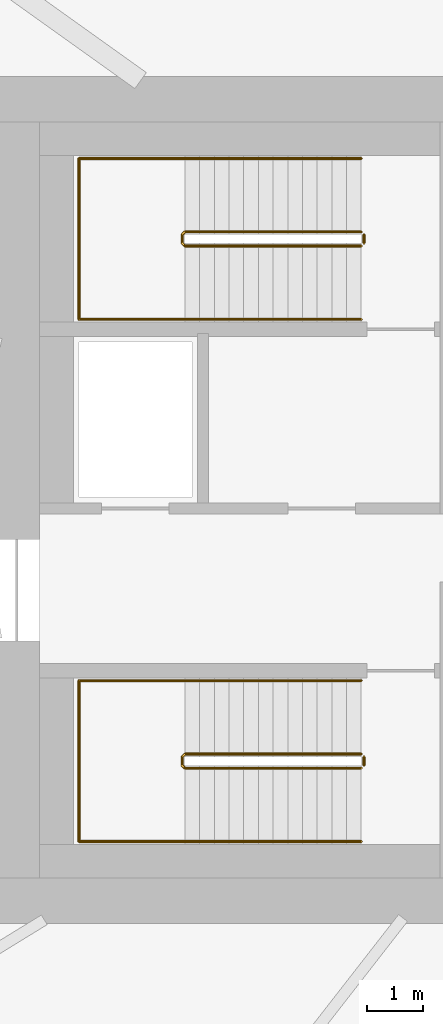
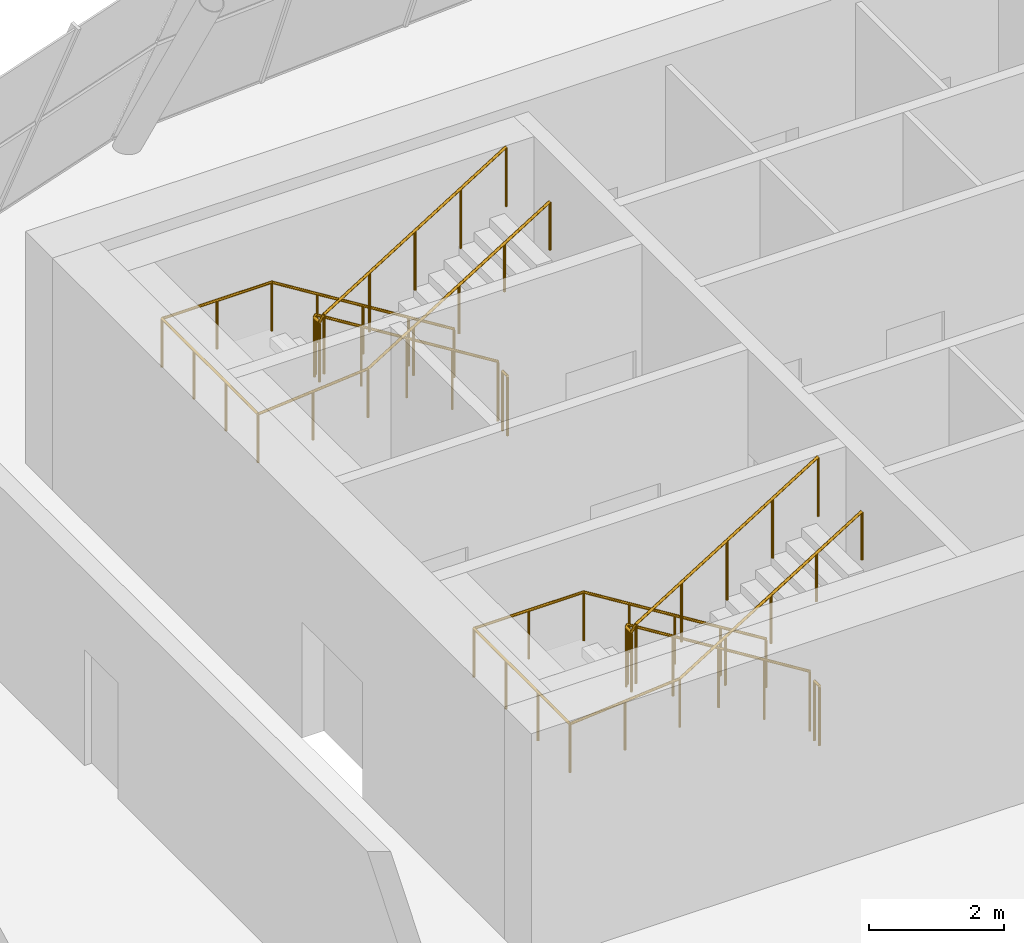
# One storey, part 8 of 8: 6 railings.
"""IFC4 building model written with IfcOpenShell, lengths in metres."""

from ifc_helpers import new_model, si_unit, direction, frame, origin, origin_2d, place, context, subcontext, project, spatial, circle, extrude, material, type_object, element, save


model = new_model("IFC4")

# Units and contexts
model_context = context("Model", 3, precision=1e-05, world=origin(), true_north=direction((0.0, 1.0)))
body_context = subcontext(model_context, "Body", "Model", "MODEL_VIEW")
ifc_project = project(units=[si_unit("LENGTHUNIT", "METRE"), si_unit("AREAUNIT", "SQUARE_METRE"), si_unit("VOLUMEUNIT", "CUBIC_METRE"), si_unit("PLANEANGLEUNIT", "RADIAN"), si_unit("MASSUNIT", "GRAM", prefix="KILO")], contexts=[model_context])

# Site, building, storey
site_placement = place(None, origin())
site = spatial("IfcSite", under=ifc_project, at=site_placement, CompositionType="ELEMENT")
building_placement = place(site_placement, origin())
building = spatial("IfcBuilding", under=site, at=building_placement, Name="Rubra Terraces Tower", CompositionType="ELEMENT")
storey_placement = place(building_placement, frame((0.0, 0.0, 312.0)))
storey = spatial("IfcBuildingStorey", under=building, at=storey_placement, Name="L77", CompositionType="ELEMENT", Elevation=312.0)

# Railings
ifc_material = material(Name="Stainless steel", Category="steel")
railing_type_1 = type_object("IfcRailingType", Name="Core stair guard 1100", PredefinedType="GUARDRAIL", material=ifc_material)
railing_1_placement = place(storey_placement, frame((-6.5, 0.0, 0.16162109375)))
element("IfcRailing", 1, at=railing_1_placement, inside=storey, type_object=railing_type_1, Name="L77 stair S1 guard 1", PredefinedType="GUARDRAIL", context=body_context, shape_type="SweptSolid", body=[
    extrude(circle(Radius=0.02392578125, at=origin_2d()), frame((0.0, 0.0, 1.076171875), z_axis=(-0.849414166554, 0.0, 0.527726798313), x_axis=(0.0, -1.0, 0.0)), (0.0, 0.0, 1.0), 3.67333984375),
    extrude(circle(Radius=0.02392578125, at=origin_2d()), frame((-3.1201171875, 0.0, 3.0146484375), z_axis=(-0.705375805398, -0.708833529934, 0.0), x_axis=(0.708833529934, -0.705375805398, 0.0)), (0.0, 0.0, 1.0), 0.070556640625),
    extrude(circle(Radius=0.02392578125, at=origin_2d()), frame((-3.169921875, -0.050048828125, 3.0146484375), z_axis=(0.0, -1.0, 0.0), x_axis=(1.0, 0.0, 0.0)), (0.0, 0.0, 1.0), 0.14990234375),
    extrude(circle(Radius=0.02392578125, at=origin_2d()), frame((-3.169921875, -0.199951171875, 3.0146484375), z_axis=(0.282744350638, -0.284130352357, 0.916147136137), x_axis=(0.708833529934, 0.705375805398, 0.0)), (0.0, 0.0, 1.0), 0.176025390625),
    extrude(circle(Radius=0.02392578125, at=origin_2d()), frame((-3.1201171875, -0.25, 3.17578125), z_axis=(0.849414166554, 0.0, 0.527726798313), x_axis=(0.0, 1.0, 0.0)), (0.0, 0.0, 1.0), 3.67333984375),
    extrude(circle(Radius=0.02099609375, at=origin_2d()), origin(), (0.0, 0.0, 1.0), 1.052001953125),
    extrude(circle(Radius=0.02099609375, at=origin_2d()), frame((-0.780029296875, 0.0, 0.484619140625)), (0.0, 0.0, 1.0), 1.052001953125),
    extrude(circle(Radius=0.02099609375, at=origin_2d()), frame((-1.56005859375, 0.0, 0.96923828125)), (0.0, 0.0, 1.0), 1.052001953125),
    extrude(circle(Radius=0.02099609375, at=origin_2d()), frame((-2.340087890625, 0.0, 1.453857421875)), (0.0, 0.0, 1.0), 1.052001953125),
    extrude(circle(Radius=0.02099609375, at=origin_2d()), frame((-3.1201171875, 0.0, 1.9384765625)), (0.0, 0.0, 1.0), 1.052001953125),
    extrude(circle(Radius=0.02099609375, at=origin_2d()), frame((-3.169921875, -0.050048828125, 1.9384765625)), (0.0, 0.0, 1.0), 1.052001953125),
    extrude(circle(Radius=0.02099609375, at=origin_2d()), frame((-3.169921875, -0.199951171875, 1.9384765625)), (0.0, 0.0, 1.0), 1.052001953125),
    extrude(circle(Radius=0.02099609375, at=origin_2d()), frame((-3.1201171875, -0.25, 2.099853515625)), (0.0, 0.0, 1.0), 1.052001953125),
    extrude(circle(Radius=0.02099609375, at=origin_2d()), frame((-2.340087890625, -0.25, 2.58447265625)), (0.0, 0.0, 1.0), 1.052001953125),
    extrude(circle(Radius=0.02099609375, at=origin_2d()), frame((-1.56005859375, -0.25, 3.069091796875)), (0.0, 0.0, 1.0), 1.052001953125),
    extrude(circle(Radius=0.02099609375, at=origin_2d()), frame((-0.780029296875, -0.25, 3.5537109375)), (0.0, 0.0, 1.0), 1.052001953125),
    extrude(circle(Radius=0.02099609375, at=origin_2d()), frame((0.0, -0.25, 4.038330078125)), (0.0, 0.0, 1.0), 1.052001953125),
])
railing_2_placement = place(storey_placement, frame((-6.449951171875, -0.050048828125, 0.0)))
element("IfcRailing", 2, at=railing_2_placement, inside=storey, type_object=railing_type_1, Name="L77 stair S1 guard 2", PredefinedType="GUARDRAIL", context=body_context, shape_type="SweptSolid", body=[
    extrude(circle(Radius=0.02392578125, at=origin_2d()), frame((0.0, 0.0, 1.076171875), z_axis=(0.0, -1.0, 0.0), x_axis=(1.0, 0.0, 0.0)), (0.0, 0.0, 1.0), 0.14990234375),
    extrude(circle(Radius=0.02099609375, at=origin_2d()), origin(), (0.0, 0.0, 1.0), 1.052001953125),
    extrude(circle(Radius=0.02099609375, at=origin_2d()), frame((0.0, -0.14990234375, 0.0)), (0.0, 0.0, 1.0), 1.052001953125),
])
railing_3_placement = place(storey_placement, frame((-6.5, 9.25, 0.16162109375)))
element("IfcRailing", 3, at=railing_3_placement, inside=storey, type_object=railing_type_1, Name="L77 stair S2 guard 1", PredefinedType="GUARDRAIL", context=body_context, shape_type="SweptSolid", body=[
    extrude(circle(Radius=0.02392578125, at=origin_2d()), frame((0.0, 0.0, 1.076171875), z_axis=(-0.849414166554, 0.0, 0.527726798313), x_axis=(0.0, -1.0, 0.0)), (0.0, 0.0, 1.0), 3.67333984375),
    extrude(circle(Radius=0.02392578125, at=origin_2d()), frame((-3.1201171875, 0.0, 3.0146484375), z_axis=(-0.705375805398, -0.708833529934, 0.0), x_axis=(0.708833529934, -0.705375805398, 0.0)), (0.0, 0.0, 1.0), 0.070556640625),
    extrude(circle(Radius=0.02392578125, at=origin_2d()), frame((-3.169921875, -0.050048828125, 3.0146484375), z_axis=(0.0, -1.0, 0.0), x_axis=(1.0, 0.0, 0.0)), (0.0, 0.0, 1.0), 0.14990234375),
    extrude(circle(Radius=0.02392578125, at=origin_2d()), frame((-3.169921875, -0.199951171875, 3.0146484375), z_axis=(0.282744350638, -0.284130352357, 0.916147136137), x_axis=(0.708833529934, 0.705375805398, 0.0)), (0.0, 0.0, 1.0), 0.176025390625),
    extrude(circle(Radius=0.02392578125, at=origin_2d()), frame((-3.1201171875, -0.25, 3.17578125), z_axis=(0.849414166554, 0.0, 0.527726798313), x_axis=(0.0, 1.0, 0.0)), (0.0, 0.0, 1.0), 3.67333984375),
    extrude(circle(Radius=0.02099609375, at=origin_2d()), origin(), (0.0, 0.0, 1.0), 1.052001953125),
    extrude(circle(Radius=0.02099609375, at=origin_2d()), frame((-0.780029296875, 0.0, 0.484619140625)), (0.0, 0.0, 1.0), 1.052001953125),
    extrude(circle(Radius=0.02099609375, at=origin_2d()), frame((-1.56005859375, 0.0, 0.96923828125)), (0.0, 0.0, 1.0), 1.052001953125),
    extrude(circle(Radius=0.02099609375, at=origin_2d()), frame((-2.340087890625, 0.0, 1.453857421875)), (0.0, 0.0, 1.0), 1.052001953125),
    extrude(circle(Radius=0.02099609375, at=origin_2d()), frame((-3.1201171875, 0.0, 1.9384765625)), (0.0, 0.0, 1.0), 1.052001953125),
    extrude(circle(Radius=0.02099609375, at=origin_2d()), frame((-3.169921875, -0.050048828125, 1.9384765625)), (0.0, 0.0, 1.0), 1.052001953125),
    extrude(circle(Radius=0.02099609375, at=origin_2d()), frame((-3.169921875, -0.199951171875, 1.9384765625)), (0.0, 0.0, 1.0), 1.052001953125),
    extrude(circle(Radius=0.02099609375, at=origin_2d()), frame((-3.1201171875, -0.25, 2.099853515625)), (0.0, 0.0, 1.0), 1.052001953125),
    extrude(circle(Radius=0.02099609375, at=origin_2d()), frame((-2.340087890625, -0.25, 2.58447265625)), (0.0, 0.0, 1.0), 1.052001953125),
    extrude(circle(Radius=0.02099609375, at=origin_2d()), frame((-1.56005859375, -0.25, 3.069091796875)), (0.0, 0.0, 1.0), 1.052001953125),
    extrude(circle(Radius=0.02099609375, at=origin_2d()), frame((-0.780029296875, -0.25, 3.5537109375)), (0.0, 0.0, 1.0), 1.052001953125),
    extrude(circle(Radius=0.02099609375, at=origin_2d()), frame((0.0, -0.25, 4.038330078125)), (0.0, 0.0, 1.0), 1.052001953125),
])
railing_4_placement = place(storey_placement, frame((-6.449951171875, 9.199951171875, 0.0)))
element("IfcRailing", 4, at=railing_4_placement, inside=storey, type_object=railing_type_1, Name="L77 stair S2 guard 2", PredefinedType="GUARDRAIL", context=body_context, shape_type="SweptSolid", body=[
    extrude(circle(Radius=0.02392578125, at=origin_2d()), frame((0.0, 0.0, 1.076171875), z_axis=(0.0, -1.0, 0.0), x_axis=(1.0, 0.0, 0.0)), (0.0, 0.0, 1.0), 0.14990234375),
    extrude(circle(Radius=0.02099609375, at=origin_2d()), origin(), (0.0, 0.0, 1.0), 1.052001953125),
    extrude(circle(Radius=0.02099609375, at=origin_2d()), frame((0.0, -0.14990234375, 0.0)), (0.0, 0.0, 1.0), 1.052001953125),
])
railing_type_2 = type_object("IfcRailingType", Name="Core stair handrail 900", PredefinedType="HANDRAIL", material=ifc_material)
railing_5_placement = place(storey_placement, frame((-6.5, 1.300048828125, 0.16162109375)))
element("IfcRailing", 5, at=railing_5_placement, inside=storey, type_object=railing_type_2, Name="L77 stair S1 handrail 1", PredefinedType="HANDRAIL", context=body_context, shape_type="SweptSolid", body=[
    extrude(circle(Radius=0.02392578125, at=origin_2d()), frame((0.0, 0.0, 0.8759765625), z_axis=(-0.849414166554, 0.0, 0.527726798313), x_axis=(0.0, -1.0, 0.0)), (0.0, 0.0, 1.0), 3.67333984375),
    extrude(circle(Radius=0.02392578125, at=origin_2d()), frame((-3.1201171875, 0.0, 2.814453125), z_axis=(-1.0, 0.0, 0.0), x_axis=(0.0, -1.0, 0.0)), (0.0, 0.0, 1.0), 1.8798828125),
    extrude(circle(Radius=0.02392578125, at=origin_2d()), frame((-5.0, 0.0, 2.814453125), z_axis=(0.0, -1.0, 0.0), x_axis=(1.0, 0.0, 0.0)), (0.0, 0.0, 1.0), 2.85009765625),
    extrude(circle(Radius=0.02392578125, at=origin_2d()), frame((-5.0, -2.85009765625, 2.814453125), z_axis=(0.996335630717, 0.0, 0.085529591156), x_axis=(0.0, 1.0, 0.0)), (0.0, 0.0, 1.0), 1.88671875),
    extrude(circle(Radius=0.02392578125, at=origin_2d()), frame((-3.1201171875, -2.85009765625, 2.9755859375), z_axis=(0.849414166554, 0.0, 0.527726798313), x_axis=(0.0, 1.0, 0.0)), (0.0, 0.0, 1.0), 3.67333984375),
    extrude(circle(Radius=0.02099609375, at=origin_2d()), origin(), (0.0, 0.0, 1.0), 0.851806640625),
    extrude(circle(Radius=0.02099609375, at=origin_2d()), frame((-0.780029296875, 0.0, 0.484619140625)), (0.0, 0.0, 1.0), 0.851806640625),
    extrude(circle(Radius=0.02099609375, at=origin_2d()), frame((-1.56005859375, 0.0, 0.96923828125)), (0.0, 0.0, 1.0), 0.851806640625),
    extrude(circle(Radius=0.02099609375, at=origin_2d()), frame((-2.340087890625, 0.0, 1.453857421875)), (0.0, 0.0, 1.0), 0.851806640625),
    extrude(circle(Radius=0.02099609375, at=origin_2d()), frame((-3.1201171875, 0.0, 1.9384765625)), (0.0, 0.0, 1.0), 0.851806640625),
    extrude(circle(Radius=0.02099609375, at=origin_2d()), frame((-4.06005859375, 0.0, 1.9384765625)), (0.0, 0.0, 1.0), 0.851806640625),
    extrude(circle(Radius=0.02099609375, at=origin_2d()), frame((-5.0, 0.0, 1.9384765625)), (0.0, 0.0, 1.0), 0.851806640625),
    extrude(circle(Radius=0.02099609375, at=origin_2d()), frame((-5.0, -0.949951171875, 1.9384765625)), (0.0, 0.0, 1.0), 0.851806640625),
    extrude(circle(Radius=0.02099609375, at=origin_2d()), frame((-5.0, -1.900146484375, 1.9384765625)), (0.0, 0.0, 1.0), 0.851806640625),
    extrude(circle(Radius=0.02099609375, at=origin_2d()), frame((-5.0, -2.85009765625, 1.9384765625)), (0.0, 0.0, 1.0), 0.851806640625),
    extrude(circle(Radius=0.02099609375, at=origin_2d()), frame((-4.06005859375, -2.85009765625, 2.01904296875)), (0.0, 0.0, 1.0), 0.851806640625),
    extrude(circle(Radius=0.02099609375, at=origin_2d()), frame((-3.1201171875, -2.85009765625, 2.099853515625)), (0.0, 0.0, 1.0), 0.851806640625),
    extrude(circle(Radius=0.02099609375, at=origin_2d()), frame((-2.340087890625, -2.85009765625, 2.58447265625)), (0.0, 0.0, 1.0), 0.851806640625),
    extrude(circle(Radius=0.02099609375, at=origin_2d()), frame((-1.56005859375, -2.85009765625, 3.069091796875)), (0.0, 0.0, 1.0), 0.851806640625),
    extrude(circle(Radius=0.02099609375, at=origin_2d()), frame((-0.780029296875, -2.85009765625, 3.5537109375)), (0.0, 0.0, 1.0), 0.851806640625),
    extrude(circle(Radius=0.02099609375, at=origin_2d()), frame((0.0, -2.85009765625, 4.038330078125)), (0.0, 0.0, 1.0), 0.851806640625),
])
railing_6_placement = place(storey_placement, frame((-6.5, 10.550048828125, 0.16162109375)))
element("IfcRailing", 6, at=railing_6_placement, inside=storey, type_object=railing_type_2, Name="L77 stair S2 handrail 1", PredefinedType="HANDRAIL", context=body_context, shape_type="SweptSolid", body=[
    extrude(circle(Radius=0.02392578125, at=origin_2d()), frame((0.0, 0.0, 0.8759765625), z_axis=(-0.849414166554, 0.0, 0.527726798313), x_axis=(0.0, -1.0, 0.0)), (0.0, 0.0, 1.0), 3.67333984375),
    extrude(circle(Radius=0.02392578125, at=origin_2d()), frame((-3.1201171875, 0.0, 2.814453125), z_axis=(-1.0, 0.0, 0.0), x_axis=(0.0, -1.0, 0.0)), (0.0, 0.0, 1.0), 1.8798828125),
    extrude(circle(Radius=0.02392578125, at=origin_2d()), frame((-5.0, 0.0, 2.814453125), z_axis=(0.0, -1.0, 0.0), x_axis=(1.0, 0.0, 0.0)), (0.0, 0.0, 1.0), 2.85009765625),
    extrude(circle(Radius=0.02392578125, at=origin_2d()), frame((-5.0, -2.85009765625, 2.814453125), z_axis=(0.996335630717, 0.0, 0.085529591156), x_axis=(0.0, 1.0, 0.0)), (0.0, 0.0, 1.0), 1.88671875),
    extrude(circle(Radius=0.02392578125, at=origin_2d()), frame((-3.1201171875, -2.85009765625, 2.9755859375), z_axis=(0.849414166554, 0.0, 0.527726798313), x_axis=(0.0, 1.0, 0.0)), (0.0, 0.0, 1.0), 3.67333984375),
    extrude(circle(Radius=0.02099609375, at=origin_2d()), origin(), (0.0, 0.0, 1.0), 0.851806640625),
    extrude(circle(Radius=0.02099609375, at=origin_2d()), frame((-0.780029296875, 0.0, 0.484619140625)), (0.0, 0.0, 1.0), 0.851806640625),
    extrude(circle(Radius=0.02099609375, at=origin_2d()), frame((-1.56005859375, 0.0, 0.96923828125)), (0.0, 0.0, 1.0), 0.851806640625),
    extrude(circle(Radius=0.02099609375, at=origin_2d()), frame((-2.340087890625, 0.0, 1.453857421875)), (0.0, 0.0, 1.0), 0.851806640625),
    extrude(circle(Radius=0.02099609375, at=origin_2d()), frame((-3.1201171875, 0.0, 1.9384765625)), (0.0, 0.0, 1.0), 0.851806640625),
    extrude(circle(Radius=0.02099609375, at=origin_2d()), frame((-4.06005859375, 0.0, 1.9384765625)), (0.0, 0.0, 1.0), 0.851806640625),
    extrude(circle(Radius=0.02099609375, at=origin_2d()), frame((-5.0, 0.0, 1.9384765625)), (0.0, 0.0, 1.0), 0.851806640625),
    extrude(circle(Radius=0.02099609375, at=origin_2d()), frame((-5.0, -0.949951171875, 1.9384765625)), (0.0, 0.0, 1.0), 0.851806640625),
    extrude(circle(Radius=0.02099609375, at=origin_2d()), frame((-5.0, -1.900146484375, 1.9384765625)), (0.0, 0.0, 1.0), 0.851806640625),
    extrude(circle(Radius=0.02099609375, at=origin_2d()), frame((-5.0, -2.85009765625, 1.9384765625)), (0.0, 0.0, 1.0), 0.851806640625),
    extrude(circle(Radius=0.02099609375, at=origin_2d()), frame((-4.06005859375, -2.85009765625, 2.01904296875)), (0.0, 0.0, 1.0), 0.851806640625),
    extrude(circle(Radius=0.02099609375, at=origin_2d()), frame((-3.1201171875, -2.85009765625, 2.099853515625)), (0.0, 0.0, 1.0), 0.851806640625),
    extrude(circle(Radius=0.02099609375, at=origin_2d()), frame((-2.340087890625, -2.85009765625, 2.58447265625)), (0.0, 0.0, 1.0), 0.851806640625),
    extrude(circle(Radius=0.02099609375, at=origin_2d()), frame((-1.56005859375, -2.85009765625, 3.069091796875)), (0.0, 0.0, 1.0), 0.851806640625),
    extrude(circle(Radius=0.02099609375, at=origin_2d()), frame((-0.780029296875, -2.85009765625, 3.5537109375)), (0.0, 0.0, 1.0), 0.851806640625),
    extrude(circle(Radius=0.02099609375, at=origin_2d()), frame((0.0, -2.85009765625, 4.038330078125)), (0.0, 0.0, 1.0), 0.851806640625),
])

save(model, "model.ifc")
